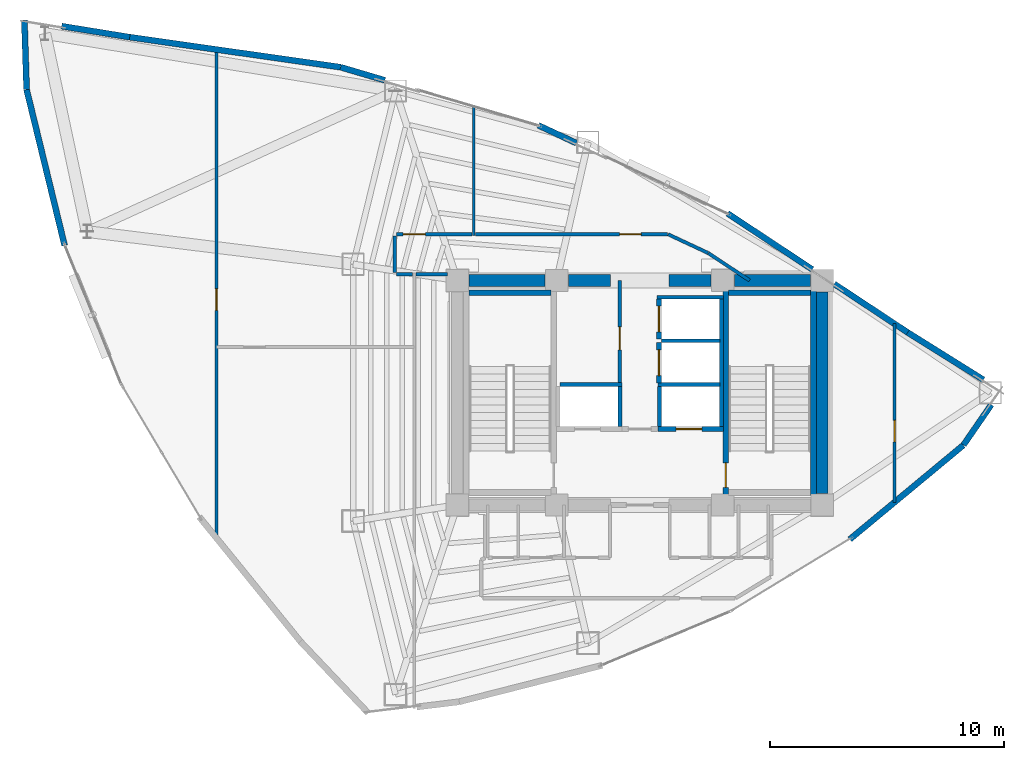
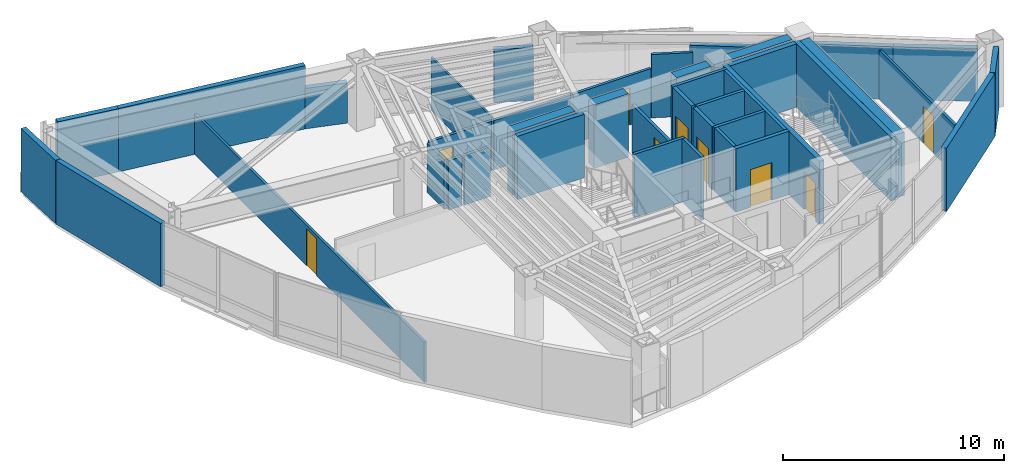
# One storey, part 13 of 16: 41 walls, 9 doors, 9 openings.
"""IFC4 building model written with IfcOpenShell, lengths in metres."""

from ifc_helpers import new_model, si_unit, direction, frame, frame_2d, origin, place, context, subcontext, project, spatial, rectangle, extrude, material, layer, layer_set, type_object, element, fill, save


model = new_model("IFC4")

# Units and contexts
model_context = context("Model", 3, precision=1e-05, world=origin(), true_north=direction((0.0, 1.0)))
body_context = subcontext(model_context, "Body", "Model", "MODEL_VIEW")
ifc_project = project(units=[si_unit("LENGTHUNIT", "METRE"), si_unit("AREAUNIT", "SQUARE_METRE"), si_unit("VOLUMEUNIT", "CUBIC_METRE"), si_unit("PLANEANGLEUNIT", "RADIAN"), si_unit("MASSUNIT", "GRAM", prefix="KILO")], contexts=[model_context])

# Site, building, storey
site_placement = place(None, origin())
site = spatial("IfcSite", under=ifc_project, at=site_placement, CompositionType="ELEMENT")
building_placement = place(site_placement, origin())
building = spatial("IfcBuilding", under=site, at=building_placement, Name="Menara Vayukalpa", CompositionType="ELEMENT")
storey_placement = place(building_placement, frame((0.0, 0.0, 195.239990234375)))
storey = spatial("IfcBuildingStorey", under=building, at=storey_placement, Name="L49", CompositionType="ELEMENT", Elevation=195.239990234375)

# Walls
ifc_material_1 = material(Name="Concrete C60/75", Category="concrete")
ifc_layer_1 = layer(ifc_material_1, 0.5)
ifc_layer_set_1 = layer_set([ifc_layer_1], Name="Concrete C60/75")
wall_type_1 = type_object("IfcWallType", Name="WAL-CW500", PredefinedType="SHEAR", material=ifc_layer_set_1)
wall_1_placement = place(storey_placement, frame((18.294921875, 26.800048828125, 0.0), z_axis=(0.0, 0.0, 1.0), x_axis=(1.0, 0.0, 0.0)))
element("IfcWall", 1, at=wall_1_placement, inside=storey, type_object=wall_type_1, Name="L49 Buttressed Core Shear Wall CWN1", PredefinedType="SHEAR", context=body_context, shape_type="SweptSolid", body=[
    extrude(rectangle(XDim=3.260009765625, YDim=0.5, at=frame_2d((1.6298828125, 0.0))), origin(), (0.0, 0.0, 1.0), 3.5),
])
wall_2_placement = place(storey_placement, frame((22.544921875, 26.800048828125, 0.0), z_axis=(0.0, 0.0, 1.0), x_axis=(1.0, 0.0, 0.0)))
element("IfcWall", 2, at=wall_2_placement, inside=storey, type_object=wall_type_1, Name="L49 Buttressed Core Shear Wall CWN2", PredefinedType="SHEAR", context=body_context, shape_type="SweptSolid", body=[
    extrude(rectangle(XDim=1.80517578125, YDim=0.5, at=frame_2d((0.902587890625, 0.0))), origin(), (0.0, 0.0, 1.0), 3.5),
])
wall_3_placement = place(storey_placement, frame((26.85009765625, 26.800048828125, 0.0), z_axis=(0.0, 0.0, 1.0), x_axis=(1.0, 0.0, 0.0)))
element("IfcWall", 3, at=wall_3_placement, inside=storey, type_object=wall_type_1, Name="L49 Buttressed Core Shear Wall CWN3", PredefinedType="SHEAR", context=body_context, shape_type="SweptSolid", body=[
    extrude(rectangle(XDim=1.804931640625, YDim=0.5, at=frame_2d((0.90234375, 0.0))), origin(), (0.0, 0.0, 1.0), 3.5),
])
wall_4_placement = place(storey_placement, frame((29.64501953125, 26.800048828125, 0.0), z_axis=(0.0, 0.0, 1.0), x_axis=(1.0, 0.0, 0.0)))
element("IfcWall", 4, at=wall_4_placement, inside=storey, type_object=wall_type_1, Name="L49 Buttressed Core Shear Wall CWN4", PredefinedType="SHEAR", context=body_context, shape_type="SweptSolid", body=[
    extrude(rectangle(XDim=3.260009765625, YDim=0.5, at=frame_2d((1.6298828125, 0.0))), origin(), (0.0, 0.0, 1.0), 3.5),
])
wall_5_placement = place(storey_placement, frame((33.39990234375, 17.695068359375, 0.0), z_axis=(0.0, 0.0, 1.0), x_axis=(0.0, 1.0, 0.0)))
element("IfcWall", 5, at=wall_5_placement, inside=storey, type_object=wall_type_1, Name="L49 Buttressed Core Shear Wall CWE1", PredefinedType="SHEAR", context=body_context, shape_type="SweptSolid", body=[
    extrude(rectangle(XDim=8.60986328125, YDim=0.5, at=frame_2d((4.304931640625, 0.0))), origin(), (0.0, 0.0, 1.0), 3.5),
])
ifc_material_2 = material(Name="Insulated Precast Concrete C40/50", Category="concrete")
ifc_layer_2 = layer(ifc_material_2, 0.260009765625)
ifc_layer_set_2 = layer_set([ifc_layer_2], Name="Insulated Precast Concrete C40/50")
wall_type_2 = type_object("IfcWallType", Name="WAL-EXT260", PredefinedType="PARTITIONING", material=ifc_layer_set_2)
wall_6_placement = place(storey_placement, frame((40.629638671875, 21.484619140625, 0.0), z_axis=(0.0, 0.0, 1.0), x_axis=(-0.5675692026, -0.823325695129, 0.0)))
element("IfcWall", 6, at=wall_6_placement, inside=storey, type_object=wall_type_2, Name="L49 Perimeter Terracotta Pier Wall 01", PredefinedType="PARTITIONING", context=body_context, shape_type="SweptSolid", body=[
    extrude(rectangle(XDim=2.090576171875, YDim=0.260009765625, at=frame_2d((1.04541015625, 0.0))), origin(), (0.0, 0.0, 1.0), 3.5),
])
wall_7_placement = place(storey_placement, frame((37.043212890625, 24.581298828125, 0.0), z_axis=(0.0, 0.0, 1.0), x_axis=(0.848238223581, -0.529614875221, 0.0)))
element("IfcWall", 7, at=wall_7_placement, inside=storey, type_object=wall_type_2, Name="L49 Perimeter Terracotta Pier Wall 02", PredefinedType="PARTITIONING", context=body_context, shape_type="SweptSolid", body=[
    extrude(rectangle(XDim=3.828857421875, YDim=0.260009765625, at=frame_2d((1.91455078125, 0.0))), origin(), (0.0, 0.0, 1.0), 2.929931640625),
])
wall_8_placement = place(storey_placement, frame((33.914306640625, 26.6494140625, 0.0), z_axis=(0.0, 0.0, 1.0), x_axis=(0.834259642914, -0.55137178764, 0.0)))
element("IfcWall", 8, at=wall_8_placement, inside=storey, type_object=wall_type_2, Name="L49 Perimeter Terracotta Pier Wall 03", PredefinedType="PARTITIONING", context=body_context, shape_type="SweptSolid", body=[
    extrude(rectangle(XDim=3.7626953125, YDim=0.260009765625, at=frame_2d((1.88134765625, 0.0))), origin(), (0.0, 0.0, 1.0), 2.929931640625),
])
wall_9_placement = place(storey_placement, frame((29.3505859375, 29.665771484375, 0.0), z_axis=(0.0, 0.0, 1.0), x_axis=(0.834275733291, -0.551347441131, 0.0)))
element("IfcWall", 9, at=wall_9_placement, inside=storey, type_object=wall_type_2, Name="L49 Perimeter Terracotta Pier Wall 04", PredefinedType="PARTITIONING", context=body_context, shape_type="SweptSolid", body=[
    extrude(rectangle(XDim=4.34130859375, YDim=0.260009765625, at=frame_2d((2.170654296875, 0.0))), origin(), (0.0, 0.0, 1.0), 2.630126953125),
])
wall_10_placement = place(storey_placement, frame((21.263671875, 33.431396484375, 0.0), z_axis=(0.0, 0.0, 1.0), x_axis=(0.905741333912, -0.423830905011, 0.0)))
element("IfcWall", 10, at=wall_10_placement, inside=storey, type_object=wall_type_2, Name="L49 Perimeter Terracotta Pier Wall 06", PredefinedType="PARTITIONING", context=body_context, shape_type="SweptSolid", body=[
    extrude(rectangle(XDim=1.794921875, YDim=0.260009765625, at=frame_2d((0.8974609375, 0.0))), origin(), (0.0, 0.0, 1.0), 2.929931640625),
])
wall_11_placement = place(storey_placement, frame((12.810546875, 35.9169921875, 0.0), z_axis=(0.0, 0.0, 1.0), x_axis=(0.958874384412, -0.283830785713, 0.0)))
element("IfcWall", 11, at=wall_11_placement, inside=storey, type_object=wall_type_2, Name="L49 Perimeter Terracotta Pier Wall 08", PredefinedType="PARTITIONING", context=body_context, shape_type="SweptSolid", body=[
    extrude(rectangle(XDim=1.968994140625, YDim=0.260009765625, at=frame_2d((0.984375, 0.0))), origin(), (0.0, 0.0, 1.0), 2.22998046875),
])
wall_12_placement = place(storey_placement, frame((3.778564453125, 37.20263671875, 0.0), z_axis=(0.0, 0.0, 1.0), x_axis=(0.990020552325, -0.140923049832, 0.0)))
element("IfcWall", 12, at=wall_12_placement, inside=storey, type_object=wall_type_2, Name="L49 Perimeter Terracotta Pier Wall 09", PredefinedType="PARTITIONING", context=body_context, shape_type="SweptSolid", body=[
    extrude(rectangle(XDim=9.123046875, YDim=0.260009765625, at=frame_2d((4.5615234375, 0.0))), origin(), (0.0, 0.0, 1.0), 3.5),
])
wall_13_placement = place(storey_placement, frame((0.87939453125, 37.67236328125, 0.0), z_axis=(0.0, 0.0, 1.0), x_axis=(0.987124562888, -0.159953422419, 0.0)))
element("IfcWall", 13, at=wall_13_placement, inside=storey, type_object=wall_type_2, Name="L49 Perimeter Terracotta Pier Wall 10", PredefinedType="PARTITIONING", context=body_context, shape_type="SweptSolid", body=[
    extrude(rectangle(XDim=2.948974609375, YDim=0.260009765625, at=frame_2d((1.474609375, 0.0))), origin(), (0.0, 0.0, 1.0), 3.5),
])
wall_14_placement = place(storey_placement, frame((-0.6181640625, 34.962158203125, 0.0), z_axis=(0.0, 0.0, 1.0), x_axis=(-0.031896905061, 0.999491164267, 0.0)))
element("IfcWall", 14, at=wall_14_placement, inside=storey, type_object=wall_type_2, Name="L49 Perimeter Terracotta Pier Wall 11", PredefinedType="PARTITIONING", context=body_context, shape_type="SweptSolid", body=[
    extrude(rectangle(XDim=2.9697265625, YDim=0.260009765625, at=frame_2d((1.48486328125, 0.0))), origin(), (0.0, 0.0, 1.0), 3.5),
])
wall_15_placement = place(storey_placement, frame((1.007080078125, 28.293701171875, 0.0), z_axis=(0.0, 0.0, 1.0), x_axis=(-0.236844738969, 0.971547512797, 0.0)))
element("IfcWall", 15, at=wall_15_placement, inside=storey, type_object=wall_type_2, Name="L49 Perimeter Terracotta Pier Wall 12", PredefinedType="PARTITIONING", context=body_context, shape_type="SweptSolid", body=[
    extrude(rectangle(XDim=6.85888671875, YDim=0.260009765625, at=frame_2d((3.429443359375, 0.0))), origin(), (0.0, 0.0, 1.0), 3.5),
])
wall_16_placement = place(storey_placement, frame((39.43408203125, 19.753662109375, 0.0), z_axis=(0.0, 0.0, 1.0), x_axis=(-0.76976213846, -0.638330831304, 0.0)))
element("IfcWall", 16, at=wall_16_placement, inside=storey, type_object=wall_type_2, Name="L49 Perimeter Terracotta Pier Wall 21", PredefinedType="PARTITIONING", context=body_context, shape_type="SweptSolid", body=[
    extrude(rectangle(XDim=6.302734375, YDim=0.260009765625, at=frame_2d((3.1513671875, 0.0))), origin(), (0.0, 0.0, 1.0), 3.5),
])
ifc_material_3 = material(Name="Lightweight Concrete Blockwork C16/20", Category="masonry")
ifc_layer_3 = layer(ifc_material_3, 0.159912109375)
ifc_layer_set_3 = layer_set([ifc_layer_3], Name="Lightweight Concrete Blockwork C16/20")
wall_type_3 = type_object("IfcWallType", Name="WAL-FR150", PredefinedType="PARTITIONING", material=ifc_layer_set_3)
wall_17_placement = place(storey_placement, frame((24.7548828125, 20.56005859375, 0.0), z_axis=(0.0, 0.0, 1.0), x_axis=(0.0, 1.0, 0.0)))
element("IfcWall", 17, at=wall_17_placement, inside=storey, type_object=wall_type_3, Name="L49 Interior Partition IW-L49-SHW-W1E", PredefinedType="PARTITIONING", context=body_context, shape_type="SweptSolid", body=[
    extrude(rectangle(XDim=1.7099609375, YDim=0.159912109375, at=frame_2d((0.85498046875, 0.0))), origin(), (0.0, 0.0, 1.0), 3.5),
])
wall_18_placement = place(storey_placement, frame((22.179931640625, 22.344970703125, 0.0), z_axis=(0.0, 0.0, 1.0), x_axis=(1.0, 0.0, 0.0)))
element("IfcWall", 18, at=wall_18_placement, inside=storey, type_object=wall_type_3, Name="L49 Interior Partition IW-L49-SHM-W12", PredefinedType="PARTITIONING", context=body_context, shape_type="SweptSolid", body=[
    extrude(rectangle(XDim=2.650146484375, YDim=0.159912109375, at=frame_2d((1.3251953125, 0.0))), origin(), (0.0, 0.0, 1.0), 3.5),
])
wall_19_placement = place(storey_placement, frame((29.094970703125, 20.56005859375, 0.0), z_axis=(0.0, 0.0, 1.0), x_axis=(0.0, 1.0, 0.0)))
element("IfcWall", 19, at=wall_19_placement, inside=storey, type_object=wall_type_3, Name="L49 Interior Partition IW-L49-SHW-EE", PredefinedType="PARTITIONING", context=body_context, shape_type="SweptSolid", body=[
    extrude(rectangle(XDim=5.449951171875, YDim=0.159912109375, at=frame_2d((2.72509765625, 0.0))), origin(), (0.0, 0.0, 1.0), 3.5),
])
wall_20_placement = place(storey_placement, frame((26.445068359375, 20.56005859375, 0.0), z_axis=(0.0, 0.0, 1.0), x_axis=(0.0, 1.0, 0.0)))
element("IfcWall", 20, at=wall_20_placement, inside=storey, type_object=wall_type_3, Name="L49 Interior Partition IW-L49-SHW-E1W", PredefinedType="PARTITIONING", context=body_context, shape_type="SweptSolid", body=[
    extrude(rectangle(XDim=1.7099609375, YDim=0.159912109375, at=frame_2d((0.85498046875, 0.0))), origin(), (0.0, 0.0, 1.0), 3.5),
])
wall_21_placement = place(storey_placement, frame((26.3701171875, 22.344970703125, 0.0), z_axis=(0.0, 0.0, 1.0), x_axis=(1.0, 0.0, 0.0)))
element("IfcWall", 21, at=wall_21_placement, inside=storey, type_object=wall_type_3, Name="L49 Interior Partition IW-L49-SHM-E13", PredefinedType="PARTITIONING", context=body_context, shape_type="SweptSolid", body=[
    extrude(rectangle(XDim=2.64990234375, YDim=0.159912109375, at=frame_2d((1.324951171875, 0.0))), origin(), (0.0, 0.0, 1.0), 3.5),
])
wall_22_placement = place(storey_placement, frame((26.530029296875, 24.215087890625, 0.0), z_axis=(0.0, 0.0, 1.0), x_axis=(1.0, 0.0, 0.0)))
element("IfcWall", 22, at=wall_22_placement, inside=storey, type_object=wall_type_3, Name="L49 Interior Partition IW-L49-SHM-E32", PredefinedType="PARTITIONING", context=body_context, shape_type="SweptSolid", body=[
    extrude(rectangle(XDim=2.489990234375, YDim=0.159912109375, at=frame_2d((1.2451171875, 0.0))), origin(), (0.0, 0.0, 1.0), 3.5),
])
wall_23_placement = place(storey_placement, frame((26.340087890625, 26.0849609375, 0.0), z_axis=(0.0, 0.0, 1.0), x_axis=(1.0, 0.0, 0.0)))
element("IfcWall", 23, at=wall_23_placement, inside=storey, type_object=wall_type_3, Name="L49 Interior Partition IW-L49-SHM-E2N", PredefinedType="PARTITIONING", context=body_context, shape_type="SweptSolid", body=[
    extrude(rectangle(XDim=2.829833984375, YDim=0.159912109375, at=frame_2d((1.4150390625, 0.0))), origin(), (0.0, 0.0, 1.0), 3.5),
])

# Wall, opening, door
wall_24_placement = place(storey_placement, frame((24.739990234375, 22.429931640625, 0.0), z_axis=(0.0, 0.0, 1.0), x_axis=(0.0, 1.0, 0.0)))
wall_24 = element("IfcWall", 24, at=wall_24_placement, inside=storey, type_object=wall_type_3, Name="L49 Interior Partition IW-L49-LV7W", PredefinedType="PARTITIONING", context=body_context, shape_type="SweptSolid", body=[
    extrude(rectangle(XDim=4.3701171875, YDim=0.159912109375, at=frame_2d((2.18505859375, 0.0))), origin(), (0.0, 0.0, 1.0), 2.630126953125),
])
opening_1_placement = place(wall_24_placement, frame((1.39990234375, 0.0, 0.0)))
opening_1 = element("IfcOpeningElement", 25, at=opening_1_placement, cuts=wall_24, Name="Opening ID3", PredefinedType="OPENING", context=body_context, shape_type="SweptSolid", body=[
    extrude(rectangle(XDim=0.97998046875, YDim=2.06005859375, at=frame_2d((0.489990234375, 1.030029296875))), frame((0.0, 0.08984375, 0.0), z_axis=(0.0, -1.0, 0.0), x_axis=(1.0, 0.0, 0.0)), (0.0, 0.0, 1.0), 0.179931640625),
])
ifc_material_4 = material(Name="Fire-Rated Powder-Coated Steel Door", Category="steel")
door_type_1 = type_object("IfcDoorType", Name="DR-FD60", OperationType="NOTDEFINED", PredefinedType="DOOR", material=ifc_material_4)
door_1_placement = place(opening_1_placement, origin())
door_1 = element("IfcDoor", 26, at=door_1_placement, inside=storey, type_object=door_type_1, Name="L49 Interior Door DR-L49-LV7W", OperationType="SINGLE_SWING_RIGHT", OverallHeight=2.06005859375, OverallWidth=0.97998046875, PredefinedType="DOOR", context=body_context, shape_type="SweptSolid", body=[
    extrude(rectangle(XDim=0.97998046875, YDim=2.06005859375, at=frame_2d((0.489990234375, 1.030029296875))), frame((0.0, 0.02490234375, 0.0), z_axis=(0.0, -1.0, 0.0), x_axis=(1.0, 0.0, 0.0)), (0.0, 0.0, 1.0), 0.050048828125),
])
fill(opening_1, door_1)

ifc_material_5 = material(Name="Lightweight Concrete Blockwork C16/20", Category="masonry")
ifc_layer_4 = layer(ifc_material_5, 0.199951171875)
ifc_layer_set_4 = layer_set([ifc_layer_4], Name="Lightweight Concrete Blockwork C16/20")
wall_type_4 = type_object("IfcWallType", Name="WAL-FR200", PredefinedType="PARTITIONING", material=ifc_layer_set_4)
wall_25_placement = place(storey_placement, frame((26.3701171875, 20.449951171875, 0.0), z_axis=(0.0, 0.0, 1.0), x_axis=(1.0, 0.0, 0.0)))
wall_25 = element("IfcWall", 27, at=wall_25_placement, inside=storey, type_object=wall_type_4, Name="L49 Interior Partition IW-L49-SH-E1", PredefinedType="PARTITIONING", context=body_context, shape_type="SweptSolid", body=[
    extrude(rectangle(XDim=2.7998046875, YDim=0.199951171875, at=frame_2d((1.39990234375, 0.0))), origin(), (0.0, 0.0, 1.0), 3.5),
])
opening_2_placement = place(wall_25_placement, frame((0.780029296875, 0.0, 0.0)))
opening_2 = element("IfcOpeningElement", 28, at=opening_2_placement, cuts=wall_25, Name="Opening LD1", PredefinedType="OPENING", context=body_context, shape_type="SweptSolid", body=[
    extrude(rectangle(XDim=1.10009765625, YDim=2.080078125, at=frame_2d((0.550048828125, 1.0400390625))), frame((0.0, 0.10986328125, 0.0), z_axis=(0.0, -1.0, 0.0), x_axis=(1.0, 0.0, 0.0)), (0.0, 0.0, 1.0), 0.219970703125),
])
ifc_material_6 = material(Name="Brushed Stainless Steel 316 Lift Door", Category="steel")
door_type_2 = type_object("IfcDoorType", Name="DR-LD110", OperationType="NOTDEFINED", PredefinedType="DOOR", material=ifc_material_6)
door_2_placement = place(opening_2_placement, origin())
door_2 = element("IfcDoor", 29, at=door_2_placement, inside=storey, type_object=door_type_2, Name="L49 Interior Door DR-L49-LD-E1", OperationType="DOUBLE_DOOR_SLIDING", OverallHeight=2.080078125, OverallWidth=1.10009765625, PredefinedType="DOOR", context=body_context, shape_type="SweptSolid", body=[
    extrude(rectangle(XDim=1.10009765625, YDim=2.080078125, at=frame_2d((0.550048828125, 1.0400390625))), frame((0.0, 0.02490234375, 0.0), z_axis=(0.0, -1.0, 0.0), x_axis=(1.0, 0.0, 0.0)), (0.0, 0.0, 1.0), 0.050048828125),
])
fill(opening_2, door_2)

wall_26_placement = place(storey_placement, frame((26.419921875, 22.419921875, 0.0), z_axis=(0.0, 0.0, 1.0), x_axis=(0.0, 1.0, 0.0)))
wall_26 = element("IfcWall", 30, at=wall_26_placement, inside=storey, type_object=wall_type_4, Name="L49 Interior Partition IW-L49-SH-E3", PredefinedType="PARTITIONING", context=body_context, shape_type="SweptSolid", body=[
    extrude(rectangle(XDim=1.719970703125, YDim=0.199951171875, at=frame_2d((0.85986328125, 0.0))), origin(), (0.0, 0.0, 1.0), 3.5),
])
opening_3_placement = place(wall_26_placement, frame((0.31005859375, 0.0, 0.0)))
opening_3 = element("IfcOpeningElement", 31, at=opening_3_placement, cuts=wall_26, Name="Opening LD1", PredefinedType="OPENING", context=body_context, shape_type="SweptSolid", body=[
    extrude(rectangle(XDim=1.10009765625, YDim=2.080078125, at=frame_2d((0.550048828125, 1.0400390625))), frame((0.0, 0.10986328125, 0.0), z_axis=(0.0, -1.0, 0.0), x_axis=(1.0, 0.0, 0.0)), (0.0, 0.0, 1.0), 0.219970703125),
])
door_3_placement = place(opening_3_placement, origin())
door_3 = element("IfcDoor", 32, at=door_3_placement, inside=storey, type_object=door_type_2, Name="L49 Interior Door DR-L49-LD-E3", OperationType="DOUBLE_DOOR_SLIDING", OverallHeight=2.080078125, OverallWidth=1.10009765625, PredefinedType="DOOR", context=body_context, shape_type="SweptSolid", body=[
    extrude(rectangle(XDim=1.10009765625, YDim=2.080078125, at=frame_2d((0.550048828125, 1.0400390625))), frame((0.0, 0.02490234375, 0.0), z_axis=(0.0, -1.0, 0.0), x_axis=(1.0, 0.0, 0.0)), (0.0, 0.0, 1.0), 0.050048828125),
])
fill(opening_3, door_3)

wall_27_placement = place(storey_placement, frame((26.419921875, 24.2900390625, 0.0), z_axis=(0.0, 0.0, 1.0), x_axis=(0.0, 1.0, 0.0)))
wall_27 = element("IfcWall", 33, at=wall_27_placement, inside=storey, type_object=wall_type_4, Name="L49 Interior Partition IW-L49-SH-E2", PredefinedType="PARTITIONING", context=body_context, shape_type="SweptSolid", body=[
    extrude(rectangle(XDim=1.719970703125, YDim=0.199951171875, at=frame_2d((0.85986328125, 0.0))), origin(), (0.0, 0.0, 1.0), 3.5),
])
opening_4_placement = place(wall_27_placement, frame((0.31005859375, 0.0, 0.0)))
opening_4 = element("IfcOpeningElement", 34, at=opening_4_placement, cuts=wall_27, Name="Opening LD1", PredefinedType="OPENING", context=body_context, shape_type="SweptSolid", body=[
    extrude(rectangle(XDim=1.10009765625, YDim=2.080078125, at=frame_2d((0.550048828125, 1.0400390625))), frame((0.0, 0.10986328125, 0.0), z_axis=(0.0, -1.0, 0.0), x_axis=(1.0, 0.0, 0.0)), (0.0, 0.0, 1.0), 0.219970703125),
])
door_4_placement = place(opening_4_placement, origin())
door_4 = element("IfcDoor", 35, at=door_4_placement, inside=storey, type_object=door_type_2, Name="L49 Interior Door DR-L49-LD-E2", OperationType="DOUBLE_DOOR_SLIDING", OverallHeight=2.080078125, OverallWidth=1.10009765625, PredefinedType="DOOR", context=body_context, shape_type="SweptSolid", body=[
    extrude(rectangle(XDim=1.10009765625, YDim=2.080078125, at=frame_2d((0.550048828125, 1.0400390625))), frame((0.0, 0.02490234375, 0.0), z_axis=(0.0, -1.0, 0.0), x_axis=(1.0, 0.0, 0.0)), (0.0, 0.0, 1.0), 0.050048828125),
])
fill(opening_4, door_4)

# Wall
ifc_material_7 = material(Name="Glazed Demountable Office Partition", Category="glass")
ifc_layer_5 = layer(ifc_material_7, 0.094970703125)
ifc_layer_set_5 = layer_set([ifc_layer_5], Name="Glazed Demountable Office Partition")
wall_type_5 = type_object("IfcWallType", Name="WAL-PT100", PredefinedType="PARTITIONING", material=ifc_layer_set_5)
wall_28_placement = place(storey_placement, frame((18.5, 28.72998046875, 0.0), z_axis=(0.0, 0.0, 1.0), x_axis=(0.0, 1.0, 0.0)))
element("IfcWall", 36, at=wall_28_placement, inside=storey, type_object=wall_type_5, Name="L49 Interior Partition IW-L49-RDIV02", PredefinedType="PARTITIONING", context=body_context, shape_type="SweptSolid", body=[
    extrude(rectangle(XDim=5.512939453125, YDim=0.094970703125, at=frame_2d((2.75634765625, 0.0))), origin(), (0.0, 0.0, 1.0), 2.929931640625),
])

# Wall, opening, door
ifc_material_8 = material(Name="Gypsum Drywall Steel Stud Assembly", Category="steel")
ifc_layer_6 = layer(ifc_material_8, 0.125)
ifc_layer_set_6 = layer_set([ifc_layer_6], Name="Gypsum Drywall Steel Stud Assembly")
wall_type_6 = type_object("IfcWallType", Name="WAL-PT125", PredefinedType="PARTITIONING", material=ifc_layer_set_6)
wall_29_placement = place(storey_placement, frame((7.5, 15.76318359375, 0.0), z_axis=(0.0, 0.0, 1.0), x_axis=(0.0, 1.0, 0.0)))
wall_29 = element("IfcWall", 37, at=wall_29_placement, inside=storey, type_object=wall_type_6, Name="L49 Interior Partition IW-L49-RDIV01", PredefinedType="PARTITIONING", context=body_context, shape_type="SweptSolid", body=[
    extrude(rectangle(XDim=20.919921875, YDim=0.125, at=frame_2d((10.4599609375, 0.0))), origin(), (0.0, 0.0, 1.0), 2.22998046875),
])
opening_5_placement = place(wall_29_placement, frame((9.755126953125, 0.0, 0.0)))
opening_5 = element("IfcOpeningElement", 38, at=opening_5_placement, cuts=wall_29, Name="Opening ID6", PredefinedType="OPENING", context=body_context, shape_type="SweptSolid", body=[
    extrude(rectangle(XDim=0.919921875, YDim=2.050048828125, at=frame_2d((0.4599609375, 1.02490234375))), frame((0.0, 0.072509765625, 0.0), z_axis=(0.0, -1.0, 0.0), x_axis=(1.0, 0.0, 0.0)), (0.0, 0.0, 1.0), 0.14501953125),
])
ifc_material_9 = material(Name="Acoustic Hardwood Veneer Timber Door", Category="wood")
door_type_3 = type_object("IfcDoorType", Name="DR-INT92", OperationType="NOTDEFINED", PredefinedType="DOOR", material=ifc_material_9)
door_5_placement = place(opening_5_placement, origin())
door_5 = element("IfcDoor", 39, at=door_5_placement, inside=storey, type_object=door_type_3, Name="L49 Interior Door DR-L49-STE06", OperationType="SINGLE_SWING_RIGHT", OverallHeight=2.050048828125, OverallWidth=0.919921875, PredefinedType="DOOR", context=body_context, shape_type="SweptSolid", body=[
    extrude(rectangle(XDim=0.919921875, YDim=2.050048828125, at=frame_2d((0.4599609375, 1.02490234375))), frame((0.0, 0.02490234375, 0.0), z_axis=(0.0, -1.0, 0.0), x_axis=(1.0, 0.0, 0.0)), (0.0, 0.0, 1.0), 0.050048828125),
])
fill(opening_5, door_5)

wall_30_placement = place(storey_placement, frame((36.5, 17.3076171875, 0.0), z_axis=(0.0, 0.0, 1.0), x_axis=(0.0, 1.0, 0.0)))
wall_30 = element("IfcWall", 40, at=wall_30_placement, inside=storey, type_object=wall_type_6, Name="L49 Interior Partition IW-L49-RDIV03", PredefinedType="PARTITIONING", context=body_context, shape_type="SweptSolid", body=[
    extrude(rectangle(XDim=7.644775390625, YDim=0.125, at=frame_2d((3.822265625, 0.0))), origin(), (0.0, 0.0, 1.0), 2.72998046875),
])
opening_6_placement = place(wall_30_placement, frame((2.591796875, 0.0, 0.0)))
opening_6 = element("IfcOpeningElement", 41, at=opening_6_placement, cuts=wall_30, Name="Opening ID6", PredefinedType="OPENING", context=body_context, shape_type="SweptSolid", body=[
    extrude(rectangle(XDim=0.919921875, YDim=2.050048828125, at=frame_2d((0.4599609375, 1.02490234375))), frame((0.0, 0.072509765625, 0.0), z_axis=(0.0, -1.0, 0.0), x_axis=(1.0, 0.0, 0.0)), (0.0, 0.0, 1.0), 0.14501953125),
])
door_6_placement = place(opening_6_placement, origin())
door_6 = element("IfcDoor", 42, at=door_6_placement, inside=storey, type_object=door_type_3, Name="L49 Interior Door DR-L49-STE03", OperationType="SINGLE_SWING_LEFT", OverallHeight=2.050048828125, OverallWidth=0.919921875, PredefinedType="DOOR", context=body_context, shape_type="SweptSolid", body=[
    extrude(rectangle(XDim=0.919921875, YDim=2.050048828125, at=frame_2d((0.4599609375, 1.02490234375))), frame((0.0, 0.02490234375, 0.0), z_axis=(0.0, -1.0, 0.0), x_axis=(1.0, 0.0, 0.0)), (0.0, 0.0, 1.0), 0.050048828125),
])
fill(opening_6, door_6)

# Walls
ifc_material_10 = material(Name="Gypsum Drywall Acoustic Stud Assembly", Category="masonry")
ifc_layer_7 = layer(ifc_material_10, 0.14501953125)
ifc_layer_set_7 = layer_set([ifc_layer_7], Name="Gypsum Drywall Acoustic Stud Assembly")
wall_type_7 = type_object("IfcWallType", Name="WAL-PT150", PredefinedType="PARTITIONING", material=ifc_layer_set_7)
wall_31_placement = place(storey_placement, frame((16.02392578125, 27.06005859375, 0.0), z_axis=(0.0, 0.0, 1.0), x_axis=(1.0, 0.0, 0.0)))
element("IfcWall", 43, at=wall_31_placement, inside=storey, type_object=wall_type_7, Name="L49 Interior Partition IW-L49-CRM02-1", PredefinedType="PARTITIONING", context=body_context, shape_type="SweptSolid", body=[
    extrude(rectangle(XDim=1.35595703125, YDim=0.14501953125, at=frame_2d((0.677978515625, 0.0))), origin(), (0.0, 0.0, 1.0), 2.72998046875),
])
wall_32_placement = place(storey_placement, frame((30.295166015625, 26.800048828125, 0.0), z_axis=(0.0, 0.0, 1.0), x_axis=(-0.834281274053, 0.551339056992, 0.0)))
element("IfcWall", 44, at=wall_32_placement, inside=storey, type_object=wall_type_7, Name="L49 Interior Partition IW-L49-CRM04-1", PredefinedType="PARTITIONING", context=body_context, shape_type="SweptSolid", body=[
    extrude(rectangle(XDim=2.114990234375, YDim=0.14501953125, at=frame_2d((1.0576171875, 0.0))), origin(), (0.0, 0.0, 1.0), 2.630126953125),
])
wall_33_placement = place(storey_placement, frame((28.5205078125, 27.971923828125, 0.0), z_axis=(0.0, 0.0, 1.0), x_axis=(-0.905803144329, 0.423698788909, 0.0)))
element("IfcWall", 45, at=wall_33_placement, inside=storey, type_object=wall_type_7, Name="L49 Interior Partition IW-L49-CRM04-2", PredefinedType="PARTITIONING", context=body_context, shape_type="SweptSolid", body=[
    extrude(rectangle(XDim=1.889404296875, YDim=0.14501953125, at=frame_2d((0.94482421875, 0.0))), origin(), (0.0, 0.0, 1.0), 3.5),
])

# Wall, opening, door
wall_34_placement = place(storey_placement, frame((26.775390625, 28.780029296875, 0.0), z_axis=(0.0, 0.0, 1.0), x_axis=(-1.0, 0.0, 0.0)))
wall_34 = element("IfcWall", 46, at=wall_34_placement, inside=storey, type_object=wall_type_7, Name="L49 Interior Partition IW-L49-CRM04-3", PredefinedType="PARTITIONING", context=body_context, shape_type="SweptSolid", body=[
    extrude(rectangle(XDim=8.205322265625, YDim=0.14501953125, at=frame_2d((4.1025390625, 0.0))), origin(), (0.0, 0.0, 1.0), 2.72998046875),
])
opening_7_placement = place(wall_34_placement, frame((1.12060546875, 0.0, 0.0)))
opening_7 = element("IfcOpeningElement", 47, at=opening_7_placement, cuts=wall_34, Name="Opening ID6", PredefinedType="OPENING", context=body_context, shape_type="SweptSolid", body=[
    extrude(rectangle(XDim=0.919921875, YDim=2.050048828125, at=frame_2d((0.4599609375, 1.02490234375))), frame((0.0, 0.08251953125, 0.0), z_axis=(0.0, -1.0, 0.0), x_axis=(1.0, 0.0, 0.0)), (0.0, 0.0, 1.0), 0.1650390625),
])
door_7_placement = place(opening_7_placement, origin())
door_7 = element("IfcDoor", 48, at=door_7_placement, inside=storey, type_object=door_type_3, Name="L49 Interior Door DR-L49-RM04", OperationType="SINGLE_SWING_RIGHT", OverallHeight=2.050048828125, OverallWidth=0.919921875, PredefinedType="DOOR", context=body_context, shape_type="SweptSolid", body=[
    extrude(rectangle(XDim=0.919921875, YDim=2.050048828125, at=frame_2d((0.4599609375, 1.02490234375))), frame((0.0, 0.02490234375, 0.0), z_axis=(0.0, -1.0, 0.0), x_axis=(1.0, 0.0, 0.0)), (0.0, 0.0, 1.0), 0.050048828125),
])
fill(opening_7, door_7)

wall_35_placement = place(storey_placement, frame((18.429931640625, 28.780029296875, 0.0), z_axis=(0.0, 0.0, 1.0), x_axis=(-1.0, 0.0, 0.0)))
wall_35 = element("IfcWall", 49, at=wall_35_placement, inside=storey, type_object=wall_type_7, Name="L49 Interior Partition IW-L49-CRM05-1", PredefinedType="PARTITIONING", context=body_context, shape_type="SweptSolid", body=[
    extrude(rectangle(XDim=3.22998046875, YDim=0.14501953125, at=frame_2d((1.614990234375, 0.0))), origin(), (0.0, 0.0, 1.0), 2.72998046875),
])
opening_8_placement = place(wall_35_placement, frame((2.0, 0.0, 0.0)))
opening_8 = element("IfcOpeningElement", 50, at=opening_8_placement, cuts=wall_35, Name="Opening ID5", PredefinedType="OPENING", context=body_context, shape_type="SweptSolid", body=[
    extrude(rectangle(XDim=0.949951171875, YDim=2.06005859375, at=frame_2d((0.47509765625, 1.030029296875))), frame((0.0, 0.08251953125, 0.0), z_axis=(0.0, -1.0, 0.0), x_axis=(1.0, 0.0, 0.0)), (0.0, 0.0, 1.0), 0.1650390625),
])
ifc_material_11 = material(Name="Acoustic Hardwood Veneer Timber Door", Category="wood")
door_type_4 = type_object("IfcDoorType", Name="DR-INT95", OperationType="NOTDEFINED", PredefinedType="DOOR", material=ifc_material_11)
door_8_placement = place(opening_8_placement, origin())
door_8 = element("IfcDoor", 51, at=door_8_placement, inside=storey, type_object=door_type_4, Name="L49 Interior Door DR-L49-RM05", OperationType="SINGLE_SWING_LEFT", OverallHeight=2.06005859375, OverallWidth=0.949951171875, PredefinedType="DOOR", context=body_context, shape_type="SweptSolid", body=[
    extrude(rectangle(XDim=0.949951171875, YDim=2.06005859375, at=frame_2d((0.47509765625, 1.030029296875))), frame((0.0, 0.02490234375, 0.0), z_axis=(0.0, -1.0, 0.0), x_axis=(1.0, 0.0, 0.0)), (0.0, 0.0, 1.0), 0.050048828125),
])
fill(opening_8, door_8)

# Walls
wall_36_placement = place(storey_placement, frame((15.1201171875, 28.699951171875, 0.0), z_axis=(0.0, 0.0, 1.0), x_axis=(0.0, -1.0, 0.0)))
element("IfcWall", 52, at=wall_36_placement, inside=storey, type_object=wall_type_7, Name="L49 Interior Partition IW-L49-CRM05-2", PredefinedType="PARTITIONING", context=body_context, shape_type="SweptSolid", body=[
    extrude(rectangle(XDim=1.56005859375, YDim=0.14501953125, at=frame_2d((0.780029296875, 0.0))), origin(), (0.0, 0.0, 1.0), 2.72998046875),
])
wall_37_placement = place(storey_placement, frame((15.199951171875, 27.06005859375, 0.0), z_axis=(0.0, 0.0, 1.0), x_axis=(1.0, 0.0, 0.0)))
element("IfcWall", 53, at=wall_37_placement, inside=storey, type_object=wall_type_7, Name="L49 Interior Partition IW-L49-CRM05-3", PredefinedType="PARTITIONING", context=body_context, shape_type="SweptSolid", body=[
    extrude(rectangle(XDim=0.68408203125, YDim=0.14501953125, at=frame_2d((0.342041015625, 0.0))), origin(), (0.0, 0.0, 1.0), 2.72998046875),
])
ifc_material_12 = material(Name="Concrete C50/60", Category="concrete")
ifc_layer_8 = layer(ifc_material_12, 0.25)
ifc_layer_set_8 = layer_set([ifc_layer_8], Name="Concrete C50/60")
wall_type_8 = type_object("IfcWallType", Name="WAL-SW250", PredefinedType="SHEAR", material=ifc_layer_set_8)
wall_38_placement = place(storey_placement, frame((18.303955078125, 26.27490234375, 0.0), z_axis=(0.0, 0.0, 1.0), x_axis=(1.0, 0.0, 0.0)))
element("IfcWall", 54, at=wall_38_placement, inside=storey, type_object=wall_type_8, Name="L49 ST1 Structural Stair Shaft Wall N", PredefinedType="SHEAR", context=body_context, shape_type="SweptSolid", body=[
    extrude(rectangle(XDim=3.49609375, YDim=0.25, at=frame_2d((1.748046875, 0.0))), origin(), (0.0, 0.0, 1.0), 3.5),
])

# Wall, opening, door
wall_39_placement = place(storey_placement, frame((29.27490234375, 17.60009765625, 0.0), z_axis=(0.0, 0.0, 1.0), x_axis=(0.0, 1.0, 0.0)))
wall_39 = element("IfcWall", 55, at=wall_39_placement, inside=storey, type_object=wall_type_8, Name="L49 ST2 Structural Stair Shaft Wall W", PredefinedType="SHEAR", context=body_context, shape_type="SweptSolid", body=[
    extrude(rectangle(XDim=8.7998046875, YDim=0.25, at=frame_2d((4.39990234375, 0.0))), origin(), (0.0, 0.0, 1.0), 3.5),
])
opening_9_placement = place(wall_39_placement, frame((0.35009765625, 0.0, 0.0)))
opening_9 = element("IfcOpeningElement", 56, at=opening_9_placement, cuts=wall_39, Name="Opening ID1", PredefinedType="OPENING", context=body_context, shape_type="SweptSolid", body=[
    extrude(rectangle(XDim=1.050048828125, YDim=2.080078125, at=frame_2d((0.52490234375, 1.0400390625))), frame((0.0, 0.135009765625, 0.0), z_axis=(0.0, -1.0, 0.0), x_axis=(1.0, 0.0, 0.0)), (0.0, 0.0, 1.0), 0.27001953125),
])
ifc_material_13 = material(Name="Fire-Rated Powder-Coated Steel Door", Category="steel")
door_type_5 = type_object("IfcDoorType", Name="DR-FD120", OperationType="NOTDEFINED", PredefinedType="DOOR", material=ifc_material_13)
door_9_placement = place(opening_9_placement, origin())
door_9 = element("IfcDoor", 57, at=door_9_placement, inside=storey, type_object=door_type_5, Name="L49 Stair Exit Door DR-L49-ST2", OperationType="SINGLE_SWING_RIGHT", OverallHeight=2.080078125, OverallWidth=1.050048828125, PredefinedType="DOOR", context=body_context, shape_type="SweptSolid", body=[
    extrude(rectangle(XDim=1.050048828125, YDim=2.080078125, at=frame_2d((0.52490234375, 1.0400390625))), frame((0.0, 0.02490234375, 0.0), z_axis=(0.0, -1.0, 0.0), x_axis=(1.0, 0.0, 0.0)), (0.0, 0.0, 1.0), 0.050048828125),
])
fill(opening_9, door_9)

# Walls
wall_40_placement = place(storey_placement, frame((33.02099609375, 17.60009765625, 0.0), z_axis=(0.0, 0.0, 1.0), x_axis=(0.0, 1.0, 0.0)))
element("IfcWall", 58, at=wall_40_placement, inside=storey, type_object=wall_type_8, Name="L49 ST2 Structural Stair Shaft Wall E", PredefinedType="SHEAR", context=body_context, shape_type="SweptSolid", body=[
    extrude(rectangle(XDim=8.7998046875, YDim=0.25, at=frame_2d((4.39990234375, 0.0))), origin(), (0.0, 0.0, 1.0), 3.5),
])
wall_41_placement = place(storey_placement, frame((29.39990234375, 26.27490234375, 0.0), z_axis=(0.0, 0.0, 1.0), x_axis=(1.0, 0.0, 0.0)))
element("IfcWall", 59, at=wall_41_placement, inside=storey, type_object=wall_type_8, Name="L49 ST2 Structural Stair Shaft Wall N", PredefinedType="SHEAR", context=body_context, shape_type="SweptSolid", body=[
    extrude(rectangle(XDim=3.49609375, YDim=0.25, at=frame_2d((1.748046875, 0.0))), origin(), (0.0, 0.0, 1.0), 3.5),
])

save(model, "model.ifc")
